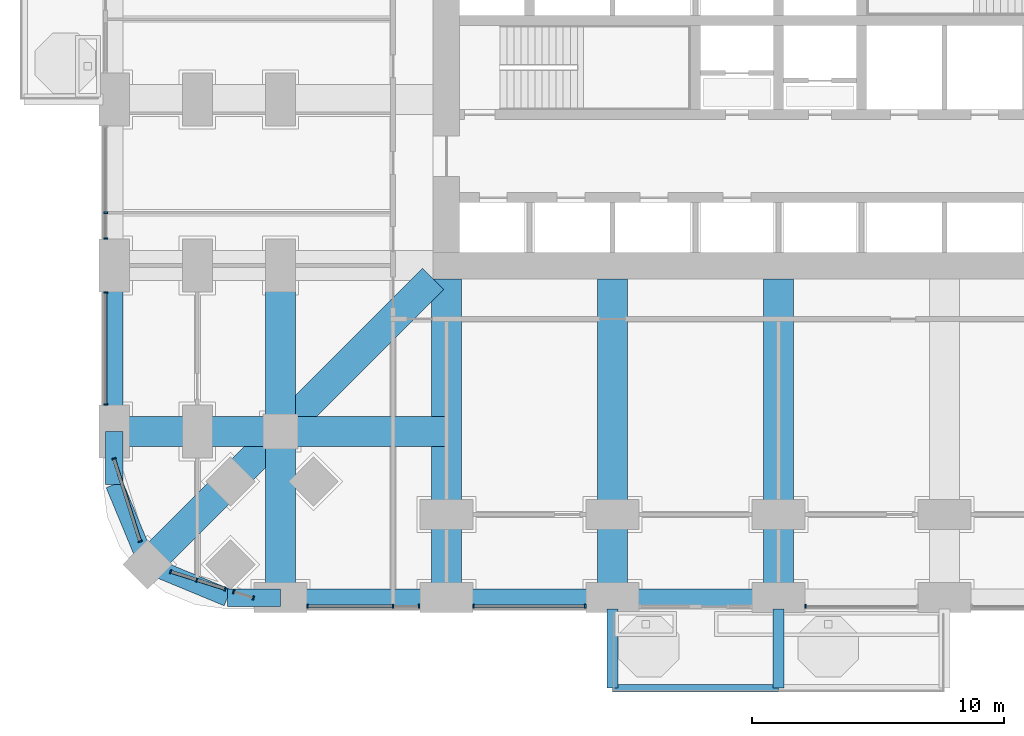
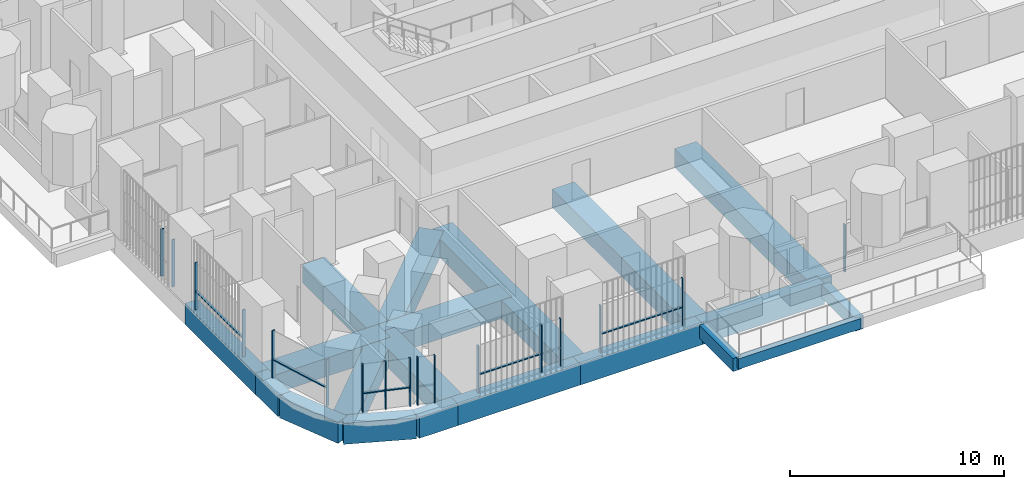
# One storey, part 2 of 26: 23 members, 20 beams, 8 elements without a shape of their own.
"""IFC4 building model written with IfcOpenShell, lengths in metres."""

import ifcopenshell
import ifcopenshell.guid

model = None  # the IFC model being written
_history = None  # IfcOwnerHistory: only IFC2X3 demands one
_inside = {}  # id of a spatial element -> (the spatial element, [elements in it])
_under = {}  # id of a project, library or spatial element -> (it, [spatial elements below it])
_declared = {}  # id of a project -> (the project, [libraries it declares])
_typed = {}  # id of a type object -> (the type object, [elements of that type])
_made_of = {}  # id of a material, layer set ... -> (it, [elements and type objects made of it])


def new_model(schema):
    """Start an empty IFC model of exactly this schema.

    Asked for "IFC4X3", IfcOpenShell would pick the latest addendum, in which some entities
    have other attributes; the version numbers below select the first issue.
    IFC2X3 requires an IfcOwnerHistory on every rooted entity: one is made here for all.
    """
    global model, _history
    if schema == "IFC4X3":
        model = ifcopenshell.file(schema_version=(4, 3, 0, 0))
    else:
        model = ifcopenshell.file(schema=schema)
    _inside.clear()
    _under.clear()
    _declared.clear()
    _typed.clear()
    _made_of.clear()
    _history = None
    if model.schema == "IFC2X3":
        org = make("IfcOrganization", Name="unknown")
        user = make(
            "IfcPersonAndOrganization",
            ThePerson=make("IfcPerson", FamilyName="unknown"),
            TheOrganization=org,
        )
        app = make(
            "IfcApplication",
            ApplicationDeveloper=org,
            Version="unknown",
            ApplicationFullName="unknown",
            ApplicationIdentifier="unknown",
        )
        _history = make(
            "IfcOwnerHistory",
            OwningUser=user,
            OwningApplication=app,
            ChangeAction="ADDED",
            CreationDate=0,
        )
    return model


def make(cls, **values):
    """One entity of the class cls with the attributes given. An attribute that is None is left unset."""
    return model.create_entity(
        cls, **{name: value for name, value in values.items() if value is not None}
    )


def rooted(cls, **values):
    """An entity with a GlobalId (a new one), such as an element, a storey or a relation."""
    return make(cls, GlobalId=ifcopenshell.guid.new(), OwnerHistory=_history, **values)


def si_unit(unit_type, name, prefix=None):
    """IfcSIUnit, for example si_unit("LENGTHUNIT", "METRE", prefix="MILLI")."""
    return make("IfcSIUnit", UnitType=unit_type, Prefix=prefix, Name=name)


def assignment(units):
    """IfcUnitAssignment: the units of a project."""
    return None if units is None else make("IfcUnitAssignment", Units=units)


def point(xyz):
    """IfcCartesianPoint."""
    return None if xyz is None else make("IfcCartesianPoint", Coordinates=xyz)


def direction(xyz):
    """IfcDirection."""
    return None if xyz is None else make("IfcDirection", DirectionRatios=xyz)


def frame(location, z_axis=None, x_axis=None):
    """IfcAxis2Placement3D, a coordinate frame: its origin and axes. An axis left out is left unset."""
    return make(
        "IfcAxis2Placement3D",
        Location=point(location),
        Axis=direction(z_axis),
        RefDirection=direction(x_axis),
    )


def frame_2d(location, x_axis=None):
    """IfcAxis2Placement2D, a coordinate frame in the plane: its origin and x axis."""
    return make(
        "IfcAxis2Placement2D", Location=point(location), RefDirection=direction(x_axis)
    )


def origin():
    """The frame at (0, 0, 0) with its axes left unset."""
    return frame((0.0, 0.0, 0.0))


def origin_2d():
    """The frame at (0, 0) in the plane with its x axis left unset."""
    return frame_2d((0.0, 0.0))


def place(relative_to, where):
    """IfcLocalPlacement: puts the frame where relative to a parent placement (None: the world)."""
    return make(
        "IfcLocalPlacement", PlacementRelTo=relative_to, RelativePlacement=where
    )


def context(
    kind, dimensions, precision=None, world=None, true_north=None, identifier=None
):
    """IfcGeometricRepresentationContext, for example the 3D "Model" context."""
    return make(
        "IfcGeometricRepresentationContext",
        ContextIdentifier=identifier,
        ContextType=kind,
        CoordinateSpaceDimension=dimensions,
        Precision=precision,
        WorldCoordinateSystem=world,
        TrueNorth=true_north,
    )


def subcontext(parent, identifier, kind, view, scale=None):
    """IfcGeometricRepresentationSubContext, for example "Body" below "Model"."""
    return make(
        "IfcGeometricRepresentationSubContext",
        ContextIdentifier=identifier,
        ContextType=kind,
        ParentContext=parent,
        TargetScale=scale,
        TargetView=view,
    )


def project(units=None, contexts=None):
    """IfcProject with its units and contexts."""
    return rooted(
        "IfcProject",
        Name="project",
        RepresentationContexts=contexts,
        UnitsInContext=assignment(units),
    )


def spatial(cls, under=None, at=None, **own):
    """A site, building, storey or space (cls), placed at a placement, below another one or the project."""
    s = rooted(cls, ObjectPlacement=at, **own)
    if under is not None:
        _under.setdefault(under.id(), (under, []))[1].append(s)
    return s


def profile(cls, at=None, kind="AREA", **sizes):
    """A parametric profile (cls). Its sizes go by their IFC names, for example OverallWidth=200.0."""
    return make(cls, ProfileType=kind, Position=at, **sizes)


def rectangle(**sizes):
    """IfcRectangleProfileDef."""
    return profile("IfcRectangleProfileDef", **sizes)


def extrude(swept, where, along, depth):
    """IfcExtrudedAreaSolid: the profile swept, set in the frame where, extruded along a direction by depth."""
    return make(
        "IfcExtrudedAreaSolid",
        SweptArea=swept,
        Position=where,
        ExtrudedDirection=direction(along),
        Depth=depth,
    )


def shape(context_of_items, identifier, shape_type, items):
    """IfcShapeRepresentation: the items that make up one representation, for example the "Body"."""
    return make(
        "IfcShapeRepresentation",
        ContextOfItems=context_of_items,
        RepresentationIdentifier=identifier,
        RepresentationType=shape_type,
        Items=items,
    )


def material(Name=None, Category=None):
    """IfcMaterial."""
    return make("IfcMaterial", Name=Name, Category=Category)


def material_profile(
    of_material, cross_section, Name=None, Category=None, Priority=None
):
    """IfcMaterialProfile: a cross section and its material."""
    return make(
        "IfcMaterialProfile",
        Name=Name,
        Material=of_material,
        Profile=cross_section,
        Priority=Priority,
        Category=Category,
    )


def profile_set(profiles, Name=None, composite=None):
    """IfcMaterialProfileSet."""
    return make(
        "IfcMaterialProfileSet",
        Name=Name,
        MaterialProfiles=profiles,
        CompositeProfile=composite,
    )


def made_of(thing, what):
    """Note that an element or type object is made of a material, layer set ...; save() writes the relation."""
    if what is not None:
        _made_of.setdefault(what.id(), (what, []))[1].append(thing)
    return thing


def type_object(cls, material=None, **own):
    """A type object (cls), such as IfcWallType, which elements share."""
    return made_of(rooted(cls, **own), material)


def element(
    cls,
    number,
    at=None,
    inside=None,
    cuts=None,
    type_object=None,
    material=None,
    context=None,
    identifier="Body",
    shape_type=None,
    held_by="IfcProductDefinitionShape",
    body=None,
    shapes=None,
    **own,
):
    """One element of the class cls, such as IfcWall. Its Tag is "e" and its number.

    at: its placement. inside: the storey or other place that contains it. cuts: it is an
    opening in that element (IfcRelVoidsElement). A single representation is given by context,
    identifier, shape_type and body (its items); several are given by shapes. held_by: the class
    of the entity that holds the representations. save() writes the other relations.
    """
    e = rooted(cls, Tag="e%d" % number, ObjectPlacement=at, **own)
    if body is not None:
        shapes = [shape(context, identifier, shape_type, body)]
    if shapes is not None:
        e.Representation = make(held_by, Representations=shapes)
    if inside is not None:
        _inside.setdefault(inside.id(), (inside, []))[1].append(e)
    if cuts is not None:
        rooted(
            "IfcRelVoidsElement", RelatingBuildingElement=cuts, RelatedOpeningElement=e
        )
    if type_object is not None:
        _typed.setdefault(type_object.id(), (type_object, []))[1].append(e)
    return made_of(e, material)


def aggregate(whole, parts):
    """IfcRelAggregates: a whole, such as a stair, and the parts it consists of."""
    return rooted("IfcRelAggregates", RelatingObject=whole, RelatedObjects=parts)


def save(model, path):
    """Write the relations noted so far, then the file.

    IfcRelAggregates (storeys below a building ...), IfcRelContainedInSpatialStructure (elements
    in a storey), IfcRelDefinesByType, IfcRelAssociatesMaterial and IfcRelDeclares: one each for
    every whole, place, type object, material and project.
    """
    for whole, parts in _under.values():
        aggregate(whole, parts)
    for where, things in _inside.values():
        rooted(
            "IfcRelContainedInSpatialStructure",
            RelatedElements=things,
            RelatingStructure=where,
        )
    for kind, things in _typed.values():
        rooted("IfcRelDefinesByType", RelatedObjects=things, RelatingType=kind)
    for what, things in _made_of.values():
        rooted("IfcRelAssociatesMaterial", RelatedObjects=things, RelatingMaterial=what)
    for by, libraries in _declared.values():
        rooted("IfcRelDeclares", RelatingContext=by, RelatedDefinitions=libraries)
    model.write(path)


model = new_model("IFC4")

# Units and contexts
model_context = context("Model", 3, precision=1e-05, world=origin(), true_north=direction((0.0, 1.0)))
body_context = subcontext(model_context, "Body", "Model", "MODEL_VIEW")
ifc_project = project(units=[si_unit("LENGTHUNIT", "METRE"), si_unit("AREAUNIT", "SQUARE_METRE"), si_unit("VOLUMEUNIT", "CUBIC_METRE"), si_unit("PLANEANGLEUNIT", "RADIAN"), si_unit("MASSUNIT", "GRAM", prefix="KILO")], contexts=[model_context])

# Site, building, storey
site_placement = place(None, origin())
site = spatial("IfcSite", under=ifc_project, at=site_placement, CompositionType="ELEMENT")
building_placement = place(site_placement, origin())
building = spatial("IfcBuilding", under=site, at=building_placement, Name="Cobogo Forest Laboratory Tower", CompositionType="ELEMENT")
storey_placement = place(building_placement, frame((0.0, 0.0, 25.5)))
storey = spatial("IfcBuildingStorey", under=building, at=storey_placement, Name="L05", CompositionType="ELEMENT", Elevation=25.5)

# Beams
ifc_material_1 = material(Name="Concrete HA-40 (C40/50)", Category="concrete")
ifc_material_profile_1 = material_profile(ifc_material_1, rectangle(XDim=0.449951171875, YDim=0.75, at=origin_2d()), Name="RC 450x750")
ifc_profile_set_1 = profile_set([ifc_material_profile_1], Name="Concrete HA-40 (C40/50)")
beam_type_1 = type_object("IfcBeamType", Name="Balcony cantilever beam 450x750", PredefinedType="BEAM", material=ifc_profile_set_1)
for number, where, z_axis, x_axis, name in (
    (1, (19.800048828125, -0.449951171875, -0.625), (0.0, -1.0, 0.0), (1.0, 0.0, 0.0), "CB1 BAL-S1-C1 L05"),
    (2, (26.39990234375, -0.449951171875, -0.625), (0.0, -1.0, 0.0), (1.0, 0.0, 0.0), "CB1 BAL-S1-C2 L05"),
):
    element("IfcBeam", number, at=place(storey_placement, frame(where, z_axis=z_axis, x_axis=x_axis)), inside=storey, type_object=beam_type_1, Name=name, PredefinedType="BEAM", context=body_context, shape_type="SweptSolid", body=[
        extrude(rectangle(XDim=0.449951171875, YDim=0.75, at=origin_2d()), origin(), (0.0, 0.0, 1.0), 3.150146484375),
    ])
ifc_material_profile_2 = material_profile(ifc_material_1, rectangle(XDim=0.300048828125, YDim=0.60009765625, at=origin_2d()), Name="RC 300x600")
ifc_profile_set_2 = profile_set([ifc_material_profile_2], Name="Concrete HA-40 (C40/50)")
beam_type_2 = type_object("IfcBeamType", Name="Balcony edge beam 300x600", PredefinedType="BEAM", material=ifc_profile_set_2)
beam_1_placement = place(storey_placement, frame((19.800048828125, -3.60009765625, -0.550048828125), z_axis=(1.0, 0.0, 0.0), x_axis=(0.0, 1.0, 0.0)))
element("IfcBeam", 3, at=beam_1_placement, inside=storey, type_object=beam_type_2, Name="BB1 BAL-S1-T1 L05", PredefinedType="BEAM", context=body_context, shape_type="SweptSolid", body=[
    extrude(rectangle(XDim=0.300048828125, YDim=0.60009765625, at=origin_2d()), origin(), (0.0, 0.0, 1.0), 6.599853515625),
])
ifc_material_profile_3 = material_profile(ifc_material_1, rectangle(XDim=1.199951171875, YDim=1.050048828125, at=origin_2d()), Name="RC 1200x1050")
ifc_profile_set_3 = profile_set([ifc_material_profile_3], Name="Concrete HA-40 (C40/50)")
beam_type_3 = type_object("IfcBeamType", Name="Laboratory floor wide beam 1200x1050", PredefinedType="BEAM", material=ifc_profile_set_3)
for number, where, z_axis, x_axis, name in (
    (4, (13.199951171875, 12.675048828125, -0.824951171875), (0.0, -1.0, 0.0), (1.0, 0.0, 0.0), "RB1 R-3-S L05"),
    (5, (19.800048828125, 12.675048828125, -0.824951171875), (0.0, -1.0, 0.0), (1.0, 0.0, 0.0), "RB1 R-4-S L05"),
    (6, (26.39990234375, 12.675048828125, -0.824951171875), (0.0, -1.0, 0.0), (1.0, 0.0, 0.0), "RB1 R-5-S L05"),
):
    element("IfcBeam", number, at=place(storey_placement, frame(where, z_axis=z_axis, x_axis=x_axis)), inside=storey, type_object=beam_type_3, Name=name, PredefinedType="BEAM", context=body_context, shape_type="SweptSolid", body=[
        extrude(rectangle(XDim=1.199951171875, YDim=1.050048828125, at=origin_2d()), origin(), (0.0, 0.0, 1.0), 12.675048828125),
    ])
beam_2_placement = place(storey_placement, frame((6.60009765625, 0.0, -0.824951171875), z_axis=(0.0, 1.0, 0.0), x_axis=(-1.0, 0.0, 0.0)))
element("IfcBeam", 7, at=beam_2_placement, inside=storey, type_object=beam_type_3, Name="RB1 G-SW-XF L05", PredefinedType="BEAM", context=body_context, shape_type="SweptSolid", body=[
    extrude(rectangle(XDim=1.199951171875, YDim=1.050048828125, at=origin_2d()), origin(), (0.0, 0.0, 1.0), 6.60009765625),
])
beam_3_placement = place(storey_placement, frame((6.60009765625, 6.60009765625, -0.824951171875), z_axis=(0.0, 1.0, 0.0), x_axis=(-1.0, 0.0, 0.0)))
element("IfcBeam", 8, at=beam_3_placement, inside=storey, type_object=beam_type_3, Name="RB1 G-SW-XC L05", PredefinedType="BEAM", context=body_context, shape_type="SweptSolid", body=[
    extrude(rectangle(XDim=1.199951171875, YDim=1.050048828125, at=origin_2d()), origin(), (0.0, 0.0, 1.0), 6.599853515625),
])
beam_4_placement = place(storey_placement, frame((0.0, 6.60009765625, -0.824951171875), z_axis=(1.0, 0.0, 0.0), x_axis=(0.0, 1.0, 0.0)))
element("IfcBeam", 9, at=beam_4_placement, inside=storey, type_object=beam_type_3, Name="RB1 G-SW-YF L05", PredefinedType="BEAM", context=body_context, shape_type="SweptSolid", body=[
    extrude(rectangle(XDim=1.199951171875, YDim=1.050048828125, at=origin_2d()), origin(), (0.0, 0.0, 1.0), 6.60009765625),
])
beam_5_placement = place(storey_placement, frame((6.60009765625, 6.60009765625, -0.824951171875), z_axis=(1.0, 0.0, 0.0), x_axis=(0.0, 1.0, 0.0)))
element("IfcBeam", 10, at=beam_5_placement, inside=storey, type_object=beam_type_3, Name="RB1 G-SW-YC L05", PredefinedType="BEAM", context=body_context, shape_type="SweptSolid", body=[
    extrude(rectangle(XDim=1.199951171875, YDim=1.050048828125, at=origin_2d()), origin(), (0.0, 0.0, 1.0), 6.599853515625),
])
beam_6_placement = place(storey_placement, frame((1.318115234375, 1.318115234375, -0.824951171875), z_axis=(0.707106781187, 0.707106781187, 0.0), x_axis=(-0.707106781187, 0.707106781187, 0.0)))
element("IfcBeam", 11, at=beam_6_placement, inside=storey, type_object=beam_type_3, Name="RB1 G-SW-D1 L05", PredefinedType="BEAM", context=body_context, shape_type="SweptSolid", body=[
    extrude(rectangle(XDim=1.199951171875, YDim=1.050048828125, at=origin_2d()), origin(), (0.0, 0.0, 1.0), 7.469970703125),
])
beam_7_placement = place(storey_placement, frame((6.60009765625, 6.60009765625, -0.824951171875), z_axis=(0.707106781187, 0.707106781187, 0.0), x_axis=(-0.707106781187, 0.707106781187, 0.0)))
element("IfcBeam", 12, at=beam_7_placement, inside=storey, type_object=beam_type_3, Name="RB1 G-SW-D2 L05", PredefinedType="BEAM", context=body_context, shape_type="SweptSolid", body=[
    extrude(rectangle(XDim=1.199951171875, YDim=1.050048828125, at=origin_2d()), origin(), (0.0, 0.0, 1.0), 8.59130859375),
])

# Curtain wall, members
ifc_material_2 = material(Name="Aluminium curtain wall", Category="aluminium")
curtain_wall_type = type_object("IfcCurtainWallType", Name="CW-1 unitised curtain wall, clear glazing, laboratory floors zones A and B", PredefinedType="USERDEFINED", material=ifc_material_2)
curtain_wall_1_placement = place(storey_placement, origin())
curtain_wall_1 = element("IfcCurtainWall", 13, at=curtain_wall_1_placement, inside=storey, type_object=curtain_wall_type, Name="Curtain wall 01 L05", ObjectType="UNITISED CURTAIN WALL", PredefinedType="USERDEFINED")
ifc_material_3 = material(Name="Aluminium mullion", Category="aluminium")
ifc_material_profile_4 = material_profile(ifc_material_3, rectangle(XDim=0.06005859375, YDim=0.159912109375, at=origin_2d()), Name="AL 60x160")
ifc_profile_set_4 = profile_set([ifc_material_profile_4], Name="Aluminium mullion")
member_type_1 = type_object("IfcMemberType", Name="MU-1 aluminium mullion 60x160", PredefinedType="MULLION", material=ifc_profile_set_4)
member_1_placement = place(storey_placement, frame((7.679931640625, -0.35009765625, 0.0), z_axis=(0.0, 0.0, 1.0), x_axis=(1.0, 0.0, 0.0)))
member_1 = element("IfcMember", 14, at=member_1_placement, type_object=member_type_1, Name="CW-1 mullion 1", PredefinedType="MULLION", context=body_context, shape_type="SweptSolid", body=[
    extrude(rectangle(XDim=0.06005859375, YDim=0.159912109375, at=origin_2d()), origin(), (0.0, 0.0, 1.0), 2.699951171875),
])
member_2_placement = place(storey_placement, frame((11.074951171875, -0.35009765625, 0.0), z_axis=(0.0, 0.0, 1.0), x_axis=(1.0, 0.0, 0.0)))
member_2 = element("IfcMember", 15, at=member_2_placement, type_object=member_type_1, Name="CW-1 mullion 2", PredefinedType="MULLION", context=body_context, shape_type="SweptSolid", body=[
    extrude(rectangle(XDim=0.06005859375, YDim=0.159912109375, at=origin_2d()), origin(), (0.0, 0.0, 1.0), 2.699951171875),
])
member_3_placement = place(storey_placement, frame((12.1201171875, -0.35009765625, 0.0), z_axis=(0.0, 0.0, 1.0), x_axis=(1.0, 0.0, 0.0)))
member_3 = element("IfcMember", 16, at=member_3_placement, type_object=member_type_1, Name="CW-1 mullion 3", PredefinedType="MULLION", context=body_context, shape_type="SweptSolid", body=[
    extrude(rectangle(XDim=0.06005859375, YDim=0.159912109375, at=origin_2d()), origin(), (0.0, 0.0, 1.0), 2.699951171875),
])

curtain_wall_2_placement = place(storey_placement, origin())
curtain_wall_2 = element("IfcCurtainWall", 17, at=curtain_wall_2_placement, inside=storey, type_object=curtain_wall_type, Name="Curtain wall 02 L05", ObjectType="UNITISED CURTAIN WALL", PredefinedType="USERDEFINED")
member_4_placement = place(storey_placement, frame((14.280029296875, -0.35009765625, 0.0), z_axis=(0.0, 0.0, 1.0), x_axis=(1.0, 0.0, 0.0)))
member_4 = element("IfcMember", 18, at=member_4_placement, type_object=member_type_1, Name="CW-1 mullion 1", PredefinedType="MULLION", context=body_context, shape_type="SweptSolid", body=[
    extrude(rectangle(XDim=0.06005859375, YDim=0.159912109375, at=origin_2d()), origin(), (0.0, 0.0, 1.0), 2.699951171875),
])
member_5_placement = place(storey_placement, frame((18.719970703125, -0.35009765625, 0.0), z_axis=(0.0, 0.0, 1.0), x_axis=(1.0, 0.0, 0.0)))
member_5 = element("IfcMember", 19, at=member_5_placement, type_object=member_type_1, Name="CW-1 mullion 2", PredefinedType="MULLION", context=body_context, shape_type="SweptSolid", body=[
    extrude(rectangle(XDim=0.06005859375, YDim=0.159912109375, at=origin_2d()), origin(), (0.0, 0.0, 1.0), 2.699951171875),
])

# Curtain wall, member
curtain_wall_3_placement = place(storey_placement, origin())
curtain_wall_3 = element("IfcCurtainWall", 20, at=curtain_wall_3_placement, inside=storey, type_object=curtain_wall_type, Name="Curtain wall 04 L05", ObjectType="UNITISED CURTAIN WALL", PredefinedType="USERDEFINED")
member_6_placement = place(storey_placement, frame((27.47998046875, -0.35009765625, 0.0), z_axis=(0.0, 0.0, 1.0), x_axis=(1.0, 0.0, 0.0)))
member_6 = element("IfcMember", 21, at=member_6_placement, type_object=member_type_1, Name="CW-1 mullion 1", PredefinedType="MULLION", context=body_context, shape_type="SweptSolid", body=[
    extrude(rectangle(XDim=0.06005859375, YDim=0.159912109375, at=origin_2d()), origin(), (0.0, 0.0, 1.0), 2.699951171875),
])
aggregate(curtain_wall_3, [member_6])

# Curtain wall, members
curtain_wall_4_placement = place(storey_placement, origin())
curtain_wall_4 = element("IfcCurtainWall", 22, at=curtain_wall_4_placement, inside=storey, type_object=curtain_wall_type, Name="Curtain wall 30 L05", ObjectType="UNITISED CURTAIN WALL", PredefinedType="USERDEFINED")
member_7_placement = place(storey_placement, frame((-0.35009765625, 15.300048828125, 0.0), z_axis=(0.0, 0.0, 1.0), x_axis=(0.0, -1.0, 0.0)))
member_7 = element("IfcMember", 23, at=member_7_placement, type_object=member_type_1, Name="CW-1 mullion 2", PredefinedType="MULLION", context=body_context, shape_type="SweptSolid", body=[
    extrude(rectangle(XDim=0.06005859375, YDim=0.159912109375, at=origin_2d()), origin(), (0.0, 0.0, 1.0), 2.699951171875),
])
member_8_placement = place(storey_placement, frame((-0.35009765625, 14.280029296875, 0.0), z_axis=(0.0, 0.0, 1.0), x_axis=(0.0, -1.0, 0.0)))
member_8 = element("IfcMember", 24, at=member_8_placement, type_object=member_type_1, Name="CW-1 mullion 3", PredefinedType="MULLION", context=body_context, shape_type="SweptSolid", body=[
    extrude(rectangle(XDim=0.06005859375, YDim=0.159912109375, at=origin_2d()), origin(), (0.0, 0.0, 1.0), 2.699951171875),
])
aggregate(curtain_wall_4, [member_7, member_8])

curtain_wall_5_placement = place(storey_placement, origin())
curtain_wall_5 = element("IfcCurtainWall", 25, at=curtain_wall_5_placement, inside=storey, type_object=curtain_wall_type, Name="Curtain wall 31 L05", ObjectType="UNITISED CURTAIN WALL", PredefinedType="USERDEFINED")
member_9_placement = place(storey_placement, frame((-0.35009765625, 12.1201171875, 0.0), z_axis=(0.0, 0.0, 1.0), x_axis=(0.0, -1.0, 0.0)))
member_9 = element("IfcMember", 26, at=member_9_placement, type_object=member_type_1, Name="CW-1 mullion 1", PredefinedType="MULLION", context=body_context, shape_type="SweptSolid", body=[
    extrude(rectangle(XDim=0.06005859375, YDim=0.159912109375, at=origin_2d()), origin(), (0.0, 0.0, 1.0), 2.699951171875),
])
member_10_placement = place(storey_placement, frame((-0.35009765625, 7.679931640625, 0.0), z_axis=(0.0, 0.0, 1.0), x_axis=(0.0, -1.0, 0.0)))
member_10 = element("IfcMember", 27, at=member_10_placement, type_object=member_type_1, Name="CW-1 mullion 2", PredefinedType="MULLION", context=body_context, shape_type="SweptSolid", body=[
    extrude(rectangle(XDim=0.06005859375, YDim=0.159912109375, at=origin_2d()), origin(), (0.0, 0.0, 1.0), 2.699951171875),
])

curtain_wall_6_placement = place(storey_placement, origin())
curtain_wall_6 = element("IfcCurtainWall", 28, at=curtain_wall_6_placement, inside=storey, type_object=curtain_wall_type, Name="Curtain wall 32 L05", ObjectType="UNITISED CURTAIN WALL", PredefinedType="USERDEFINED")
member_11_placement = place(storey_placement, frame((-0.00927734375, 5.521484375, 0.0), z_axis=(0.0, 0.0, 1.0), x_axis=(0.30113535792, -0.95358140513, 0.0)))
member_11 = element("IfcMember", 29, at=member_11_placement, type_object=member_type_1, Name="CW-1 mullion 1", PredefinedType="MULLION", context=body_context, shape_type="SweptSolid", body=[
    extrude(rectangle(XDim=0.06005859375, YDim=0.159912109375, at=origin_2d()), origin(), (0.0, 0.0, 1.0), 2.699951171875),
])
member_12_placement = place(storey_placement, frame((1.02734375, 2.23876953125, 0.0), z_axis=(0.0, 0.0, 1.0), x_axis=(0.30113535792, -0.95358140513, 0.0)))
member_12 = element("IfcMember", 30, at=member_12_placement, type_object=member_type_1, Name="CW-1 mullion 2", PredefinedType="MULLION", context=body_context, shape_type="SweptSolid", body=[
    extrude(rectangle(XDim=0.06005859375, YDim=0.159912109375, at=origin_2d()), origin(), (0.0, 0.0, 1.0), 2.699951171875),
])

curtain_wall_7_placement = place(storey_placement, origin())
curtain_wall_7 = element("IfcCurtainWall", 31, at=curtain_wall_7_placement, inside=storey, type_object=curtain_wall_type, Name="Curtain wall 33 L05", ObjectType="UNITISED CURTAIN WALL", PredefinedType="USERDEFINED")
member_13_placement = place(storey_placement, frame((2.23876953125, 1.02734375, 0.0), z_axis=(0.0, 0.0, 1.0), x_axis=(0.953581409645, -0.301135343623, 0.0)))
member_13 = element("IfcMember", 32, at=member_13_placement, type_object=member_type_1, Name="CW-1 mullion 1", PredefinedType="MULLION", context=body_context, shape_type="SweptSolid", body=[
    extrude(rectangle(XDim=0.06005859375, YDim=0.159912109375, at=origin_2d()), origin(), (0.0, 0.0, 1.0), 2.699951171875),
])
member_14_placement = place(storey_placement, frame((3.27587890625, 0.69970703125, 0.0), z_axis=(0.0, 0.0, 1.0), x_axis=(0.953581409645, -0.301135343623, 0.0)))
member_14 = element("IfcMember", 33, at=member_14_placement, type_object=member_type_1, Name="CW-1 mullion 2", PredefinedType="MULLION", context=body_context, shape_type="SweptSolid", body=[
    extrude(rectangle(XDim=0.06005859375, YDim=0.159912109375, at=origin_2d()), origin(), (0.0, 0.0, 1.0), 2.699951171875),
])
member_15_placement = place(storey_placement, frame((4.39697265625, 0.345703125, 0.0), z_axis=(0.0, 0.0, 1.0), x_axis=(0.953581409645, -0.301135343623, 0.0)))
member_15 = element("IfcMember", 34, at=member_15_placement, type_object=member_type_1, Name="CW-1 mullion 3", PredefinedType="MULLION", context=body_context, shape_type="SweptSolid", body=[
    extrude(rectangle(XDim=0.06005859375, YDim=0.159912109375, at=origin_2d()), origin(), (0.0, 0.0, 1.0), 2.699951171875),
])

curtain_wall_8_placement = place(storey_placement, origin())
curtain_wall_8 = element("IfcCurtainWall", 35, at=curtain_wall_8_placement, inside=storey, type_object=curtain_wall_type, Name="Curtain wall 34 L05", ObjectType="UNITISED CURTAIN WALL", PredefinedType="USERDEFINED")
member_16_placement = place(storey_placement, frame((4.74658203125, 0.2353515625, 0.0), z_axis=(0.0, 0.0, 1.0), x_axis=(0.953581504428, -0.301135043481, 0.0)))
member_16 = element("IfcMember", 36, at=member_16_placement, type_object=member_type_1, Name="CW-1 mullion 1", PredefinedType="MULLION", context=body_context, shape_type="SweptSolid", body=[
    extrude(rectangle(XDim=0.06005859375, YDim=0.159912109375, at=origin_2d()), origin(), (0.0, 0.0, 1.0), 2.699951171875),
])
member_17_placement = place(storey_placement, frame((5.521484375, -0.00927734375, 0.0), z_axis=(0.0, 0.0, 1.0), x_axis=(0.953581504428, -0.301135043481, 0.0)))
member_17 = element("IfcMember", 37, at=member_17_placement, type_object=member_type_1, Name="CW-1 mullion 2", PredefinedType="MULLION", context=body_context, shape_type="SweptSolid", body=[
    extrude(rectangle(XDim=0.06005859375, YDim=0.159912109375, at=origin_2d()), origin(), (0.0, 0.0, 1.0), 2.699951171875),
])
aggregate(curtain_wall_8, [member_16, member_17])

# Beams
ifc_material_profile_5 = material_profile(ifc_material_1, rectangle(XDim=0.699951171875, YDim=1.199951171875, at=origin_2d()), Name="RC 700x1200")
ifc_profile_set_5 = profile_set([ifc_material_profile_5], Name="Concrete HA-40 (C40/50)")
beam_type_4 = type_object("IfcBeamType", Name="Perimeter edge beam 700x1200", PredefinedType="BEAM", material=ifc_profile_set_5)
beam_8_placement = place(storey_placement, frame((6.60009765625, 0.0, -0.89990234375), z_axis=(1.0, 0.0, 0.0), x_axis=(0.0, 1.0, 0.0)))
element("IfcBeam", 38, at=beam_8_placement, inside=storey, type_object=beam_type_4, Name="EB1 E-S1 L05", PredefinedType="BEAM", context=body_context, shape_type="SweptSolid", body=[
    extrude(rectangle(XDim=0.699951171875, YDim=1.199951171875, at=origin_2d()), origin(), (0.0, 0.0, 1.0), 6.599853515625),
])
beam_9_placement = place(storey_placement, frame((13.199951171875, 0.0, -0.89990234375), z_axis=(1.0, 0.0, 0.0), x_axis=(0.0, 1.0, 0.0)))
element("IfcBeam", 39, at=beam_9_placement, inside=storey, type_object=beam_type_4, Name="EB1 E-S2 L05", PredefinedType="BEAM", context=body_context, shape_type="SweptSolid", body=[
    extrude(rectangle(XDim=0.699951171875, YDim=1.199951171875, at=origin_2d()), origin(), (0.0, 0.0, 1.0), 6.60009765625),
])
for number, where, z_axis, x_axis, name in (
    (40, (19.800048828125, 0.0, -0.89990234375), (1.0, 0.0, 0.0), (0.0, 1.0, 0.0), "EB1 E-S3 L05"),
    (41, (0.0, 6.60009765625, -0.89990234375), (0.0, 1.0, 0.0), (-1.0, 0.0, 0.0), "EB1 E-W1 L05"),
):
    element("IfcBeam", number, at=place(storey_placement, frame(where, z_axis=z_axis, x_axis=x_axis)), inside=storey, type_object=beam_type_4, Name=name, PredefinedType="BEAM", context=body_context, shape_type="SweptSolid", body=[
        extrude(rectangle(XDim=0.699951171875, YDim=1.199951171875, at=origin_2d()), origin(), (0.0, 0.0, 1.0), 6.599853515625),
    ])
beam_10_placement = place(storey_placement, frame((6.60009765625, 0.0, -0.89990234375), z_axis=(-1.0, 0.0, 0.0), x_axis=(0.0, -1.0, 0.0)))
element("IfcBeam", 42, at=beam_10_placement, inside=storey, type_object=beam_type_4, Name="EB1 E-SWS1 L05", PredefinedType="BEAM", context=body_context, shape_type="SweptSolid", body=[
    extrude(rectangle(XDim=0.699951171875, YDim=1.199951171875, at=origin_2d()), origin(), (0.0, 0.0, 1.0), 2.10009765625),
])
beam_11_placement = place(storey_placement, frame((4.5, 0.0, -0.89990234375), z_axis=(-0.923865631356, 0.382716990999, 0.0), x_axis=(-0.382716990999, -0.923865631356, 0.0)))
element("IfcBeam", 43, at=beam_11_placement, inside=storey, type_object=beam_type_4, Name="EB1 E-SWS2 L05", PredefinedType="BEAM", context=body_context, shape_type="SweptSolid", body=[
    extrude(rectangle(XDim=0.699951171875, YDim=1.199951171875, at=origin_2d()), origin(), (0.0, 0.0, 1.0), 3.444091796875),
])
beam_12_placement = place(storey_placement, frame((0.0, 6.60009765625, -0.89990234375), z_axis=(0.0, -1.0, 0.0), x_axis=(1.0, 0.0, 0.0)))
element("IfcBeam", 44, at=beam_12_placement, inside=storey, type_object=beam_type_4, Name="EB1 E-SWW1 L05", PredefinedType="BEAM", context=body_context, shape_type="SweptSolid", body=[
    extrude(rectangle(XDim=0.699951171875, YDim=1.199951171875, at=origin_2d()), origin(), (0.0, 0.0, 1.0), 2.10009765625),
])
beam_13_placement = place(storey_placement, frame((0.0, 4.5, -0.89990234375), z_axis=(0.382716990999, -0.923865631356, 0.0), x_axis=(0.923865631356, 0.382716990999, 0.0)))
element("IfcBeam", 45, at=beam_13_placement, inside=storey, type_object=beam_type_4, Name="EB1 E-SWW2 L05", PredefinedType="BEAM", context=body_context, shape_type="SweptSolid", body=[
    extrude(rectangle(XDim=0.699951171875, YDim=1.199951171875, at=origin_2d()), origin(), (0.0, 0.0, 1.0), 3.444091796875),
])

# Member
ifc_material_4 = material(Name="Aluminium transom", Category="aluminium")
ifc_material_profile_6 = material_profile(ifc_material_4, rectangle(XDim=0.1201171875, YDim=0.06005859375, at=origin_2d()), Name="AL 60x120")
ifc_profile_set_6 = profile_set([ifc_material_profile_6], Name="Aluminium transom")
member_type_2 = type_object("IfcMemberType", Name="TR-1 aluminium transom 60x120", PredefinedType="USERDEFINED", material=ifc_profile_set_6)
member_18_placement = place(storey_placement, frame((7.7099609375, -0.35009765625, 1.050048828125), z_axis=(1.0, 0.0, 0.0), x_axis=(0.0, 1.0, 0.0)))
member_18 = element("IfcMember", 46, at=member_18_placement, type_object=member_type_2, Name="CW-1 transom 1.1", ObjectType="TRANSOM", PredefinedType="USERDEFINED", context=body_context, shape_type="SweptSolid", body=[
    extrude(rectangle(XDim=0.1201171875, YDim=0.06005859375, at=origin_2d()), origin(), (0.0, 0.0, 1.0), 3.3349609375),
])

aggregate(curtain_wall_1, [member_1, member_2, member_3, member_18])

member_19_placement = place(storey_placement, frame((14.31005859375, -0.35009765625, 1.050048828125), z_axis=(1.0, 0.0, 0.0), x_axis=(0.0, 1.0, 0.0)))
member_19 = element("IfcMember", 47, at=member_19_placement, type_object=member_type_2, Name="CW-1 transom 1.1", ObjectType="TRANSOM", PredefinedType="USERDEFINED", context=body_context, shape_type="SweptSolid", body=[
    extrude(rectangle(XDim=0.1201171875, YDim=0.06005859375, at=origin_2d()), origin(), (0.0, 0.0, 1.0), 4.3798828125),
])

aggregate(curtain_wall_2, [member_4, member_5, member_19])

member_20_placement = place(storey_placement, frame((-0.35009765625, 12.090087890625, 1.050048828125), z_axis=(0.0, -1.0, 0.0), x_axis=(1.0, 0.0, 0.0)))
member_20 = element("IfcMember", 48, at=member_20_placement, type_object=member_type_2, Name="CW-1 transom 1.1", ObjectType="TRANSOM", PredefinedType="USERDEFINED", context=body_context, shape_type="SweptSolid", body=[
    extrude(rectangle(XDim=0.1201171875, YDim=0.06005859375, at=origin_2d()), origin(), (0.0, 0.0, 1.0), 4.380126953125),
])

aggregate(curtain_wall_5, [member_9, member_10, member_20])

member_21_placement = place(storey_placement, frame((-0.000244140625, 5.49267578125, 1.050048828125), z_axis=(0.301138276922, -0.953580483322, 0.0), x_axis=(0.953580483322, 0.301138276922, 0.0)))
member_21 = element("IfcMember", 49, at=member_21_placement, type_object=member_type_2, Name="CW-1 transom 1.1", ObjectType="TRANSOM", PredefinedType="USERDEFINED", context=body_context, shape_type="SweptSolid", body=[
    extrude(rectangle(XDim=0.1201171875, YDim=0.06005859375, at=origin_2d()), origin(), (0.0, 0.0, 1.0), 3.38232421875),
])

aggregate(curtain_wall_6, [member_11, member_12, member_21])

member_22_placement = place(storey_placement, frame((2.267333984375, 1.018310546875, 1.050048828125), z_axis=(0.953553938535, -0.301222320394, 0.0), x_axis=(0.301222320394, 0.953553938535, 0.0)))
member_22 = element("IfcMember", 50, at=member_22_placement, type_object=member_type_2, Name="CW-1 transom 1.1", ObjectType="TRANSOM", PredefinedType="USERDEFINED", context=body_context, shape_type="SweptSolid", body=[
    extrude(rectangle(XDim=0.1201171875, YDim=0.06005859375, at=origin_2d()), origin(), (0.0, 0.0, 1.0), 1.02783203125),
])

member_23_placement = place(storey_placement, frame((3.304443359375, 0.690673828125, 1.050048828125), z_axis=(0.953595892327, -0.301089478624, 0.0), x_axis=(0.301089478624, 0.953595892327, 0.0)))
member_23 = element("IfcMember", 51, at=member_23_placement, type_object=member_type_2, Name="CW-1 transom 2.1", ObjectType="TRANSOM", PredefinedType="USERDEFINED", context=body_context, shape_type="SweptSolid", body=[
    extrude(rectangle(XDim=0.1201171875, YDim=0.06005859375, at=origin_2d()), origin(), (0.0, 0.0, 1.0), 1.11572265625),
])

aggregate(curtain_wall_7, [member_13, member_14, member_15, member_22, member_23])

save(model, "model.ifc")
